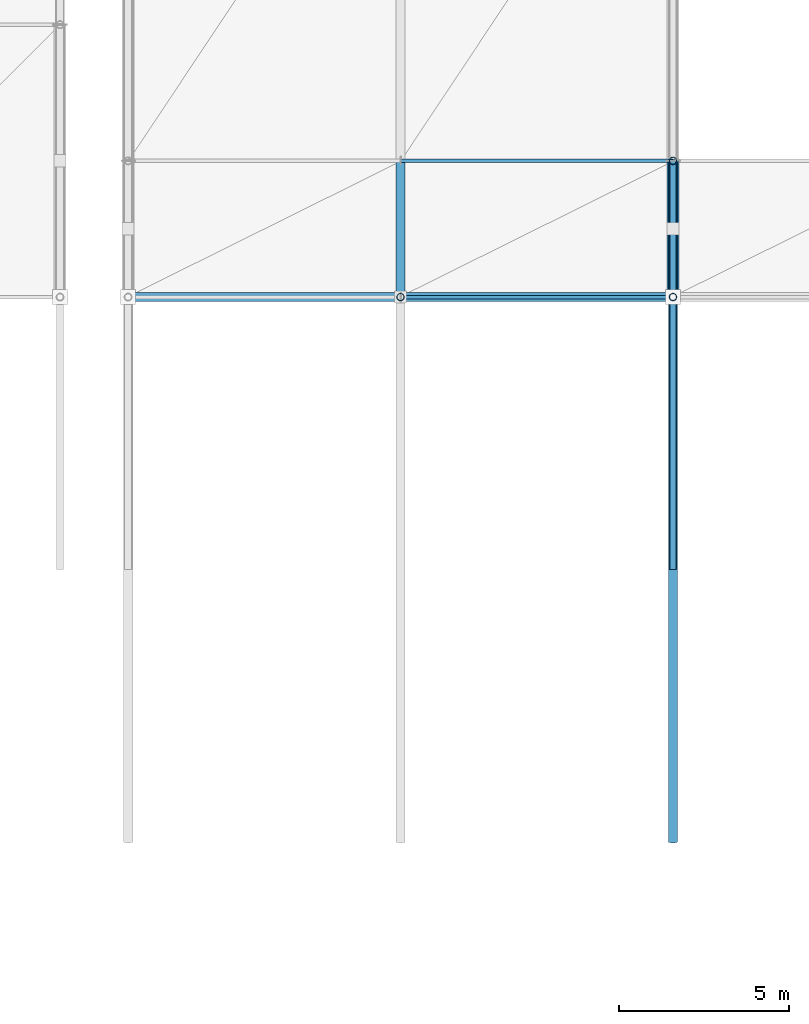
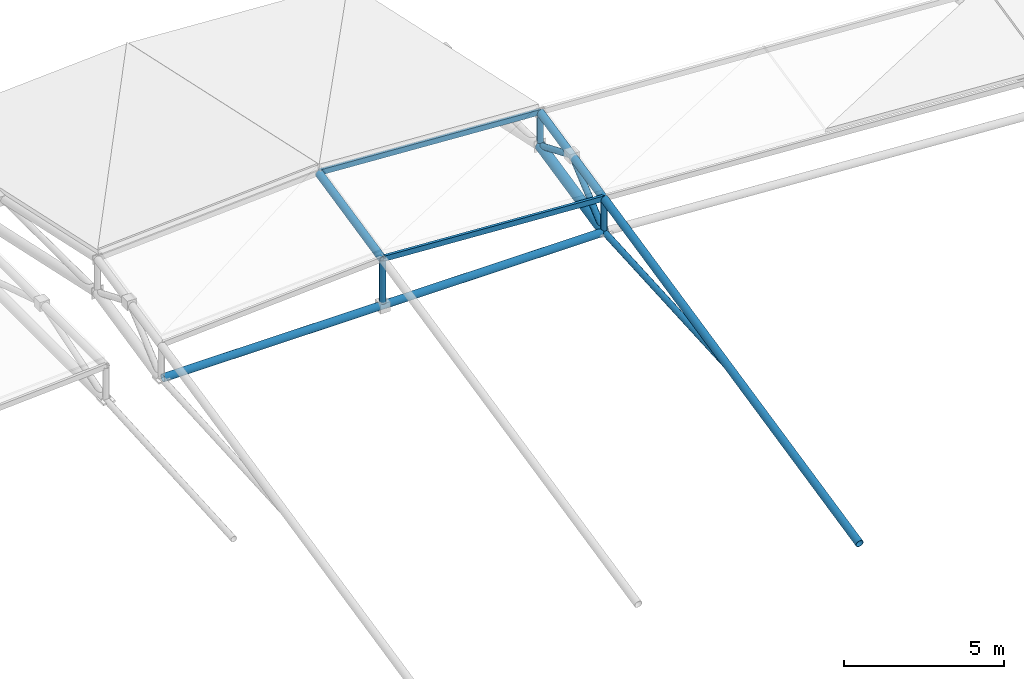
# One storey, part 10 of 27: 11 members, 2 beams.
"""IFC4 building model written with IfcOpenShell, lengths in metres."""

import ifcopenshell
import ifcopenshell.guid

model = None  # the IFC model being written
_history = None  # IfcOwnerHistory: only IFC2X3 demands one
_inside = {}  # id of a spatial element -> (the spatial element, [elements in it])
_under = {}  # id of a project, library or spatial element -> (it, [spatial elements below it])
_declared = {}  # id of a project -> (the project, [libraries it declares])
_typed = {}  # id of a type object -> (the type object, [elements of that type])
_made_of = {}  # id of a material, layer set ... -> (it, [elements and type objects made of it])


def new_model(schema):
    """Start an empty IFC model of exactly this schema.

    Asked for "IFC4X3", IfcOpenShell would pick the latest addendum, in which some entities
    have other attributes; the version numbers below select the first issue.
    IFC2X3 requires an IfcOwnerHistory on every rooted entity: one is made here for all.
    """
    global model, _history
    if schema == "IFC4X3":
        model = ifcopenshell.file(schema_version=(4, 3, 0, 0))
    else:
        model = ifcopenshell.file(schema=schema)
    _inside.clear()
    _under.clear()
    _declared.clear()
    _typed.clear()
    _made_of.clear()
    _history = None
    if model.schema == "IFC2X3":
        org = make("IfcOrganization", Name="unknown")
        user = make(
            "IfcPersonAndOrganization",
            ThePerson=make("IfcPerson", FamilyName="unknown"),
            TheOrganization=org,
        )
        app = make(
            "IfcApplication",
            ApplicationDeveloper=org,
            Version="unknown",
            ApplicationFullName="unknown",
            ApplicationIdentifier="unknown",
        )
        _history = make(
            "IfcOwnerHistory",
            OwningUser=user,
            OwningApplication=app,
            ChangeAction="ADDED",
            CreationDate=0,
        )
    return model


def make(cls, **values):
    """One entity of the class cls with the attributes given. An attribute that is None is left unset."""
    return model.create_entity(
        cls, **{name: value for name, value in values.items() if value is not None}
    )


def rooted(cls, **values):
    """An entity with a GlobalId (a new one), such as an element, a storey or a relation."""
    return make(cls, GlobalId=ifcopenshell.guid.new(), OwnerHistory=_history, **values)


def si_unit(unit_type, name, prefix=None):
    """IfcSIUnit, for example si_unit("LENGTHUNIT", "METRE", prefix="MILLI")."""
    return make("IfcSIUnit", UnitType=unit_type, Prefix=prefix, Name=name)


def assignment(units):
    """IfcUnitAssignment: the units of a project."""
    return None if units is None else make("IfcUnitAssignment", Units=units)


def point(xyz):
    """IfcCartesianPoint."""
    return None if xyz is None else make("IfcCartesianPoint", Coordinates=xyz)


def direction(xyz):
    """IfcDirection."""
    return None if xyz is None else make("IfcDirection", DirectionRatios=xyz)


def frame(location, z_axis=None, x_axis=None):
    """IfcAxis2Placement3D, a coordinate frame: its origin and axes. An axis left out is left unset."""
    return make(
        "IfcAxis2Placement3D",
        Location=point(location),
        Axis=direction(z_axis),
        RefDirection=direction(x_axis),
    )


def frame_2d(location, x_axis=None):
    """IfcAxis2Placement2D, a coordinate frame in the plane: its origin and x axis."""
    return make(
        "IfcAxis2Placement2D", Location=point(location), RefDirection=direction(x_axis)
    )


def origin():
    """The frame at (0, 0, 0) with its axes left unset."""
    return frame((0.0, 0.0, 0.0))


def origin_2d():
    """The frame at (0, 0) in the plane with its x axis left unset."""
    return frame_2d((0.0, 0.0))


def place(relative_to, where):
    """IfcLocalPlacement: puts the frame where relative to a parent placement (None: the world)."""
    return make(
        "IfcLocalPlacement", PlacementRelTo=relative_to, RelativePlacement=where
    )


def context(
    kind, dimensions, precision=None, world=None, true_north=None, identifier=None
):
    """IfcGeometricRepresentationContext, for example the 3D "Model" context."""
    return make(
        "IfcGeometricRepresentationContext",
        ContextIdentifier=identifier,
        ContextType=kind,
        CoordinateSpaceDimension=dimensions,
        Precision=precision,
        WorldCoordinateSystem=world,
        TrueNorth=true_north,
    )


def subcontext(parent, identifier, kind, view, scale=None):
    """IfcGeometricRepresentationSubContext, for example "Body" below "Model"."""
    return make(
        "IfcGeometricRepresentationSubContext",
        ContextIdentifier=identifier,
        ContextType=kind,
        ParentContext=parent,
        TargetScale=scale,
        TargetView=view,
    )


def project(units=None, contexts=None):
    """IfcProject with its units and contexts."""
    return rooted(
        "IfcProject",
        Name="project",
        RepresentationContexts=contexts,
        UnitsInContext=assignment(units),
    )


def spatial(cls, under=None, at=None, **own):
    """A site, building, storey or space (cls), placed at a placement, below another one or the project."""
    s = rooted(cls, ObjectPlacement=at, **own)
    if under is not None:
        _under.setdefault(under.id(), (under, []))[1].append(s)
    return s


def profile(cls, at=None, kind="AREA", **sizes):
    """A parametric profile (cls). Its sizes go by their IFC names, for example OverallWidth=200.0."""
    return make(cls, ProfileType=kind, Position=at, **sizes)


def hollow_rectangle(**sizes):
    """IfcRectangleHollowProfileDef."""
    return profile("IfcRectangleHollowProfileDef", **sizes)


def hollow_circle(**sizes):
    """IfcCircleHollowProfileDef."""
    return profile("IfcCircleHollowProfileDef", **sizes)


def extrude(swept, where, along, depth):
    """IfcExtrudedAreaSolid: the profile swept, set in the frame where, extruded along a direction by depth."""
    return make(
        "IfcExtrudedAreaSolid",
        SweptArea=swept,
        Position=where,
        ExtrudedDirection=direction(along),
        Depth=depth,
    )


def shape(context_of_items, identifier, shape_type, items):
    """IfcShapeRepresentation: the items that make up one representation, for example the "Body"."""
    return make(
        "IfcShapeRepresentation",
        ContextOfItems=context_of_items,
        RepresentationIdentifier=identifier,
        RepresentationType=shape_type,
        Items=items,
    )


def material(Name=None, Category=None):
    """IfcMaterial."""
    return make("IfcMaterial", Name=Name, Category=Category)


def material_profile(
    of_material, cross_section, Name=None, Category=None, Priority=None
):
    """IfcMaterialProfile: a cross section and its material."""
    return make(
        "IfcMaterialProfile",
        Name=Name,
        Material=of_material,
        Profile=cross_section,
        Priority=Priority,
        Category=Category,
    )


def profile_set(profiles, Name=None, composite=None):
    """IfcMaterialProfileSet."""
    return make(
        "IfcMaterialProfileSet",
        Name=Name,
        MaterialProfiles=profiles,
        CompositeProfile=composite,
    )


def made_of(thing, what):
    """Note that an element or type object is made of a material, layer set ...; save() writes the relation."""
    if what is not None:
        _made_of.setdefault(what.id(), (what, []))[1].append(thing)
    return thing


def type_object(cls, material=None, **own):
    """A type object (cls), such as IfcWallType, which elements share."""
    return made_of(rooted(cls, **own), material)


def element(
    cls,
    number,
    at=None,
    inside=None,
    cuts=None,
    type_object=None,
    material=None,
    context=None,
    identifier="Body",
    shape_type=None,
    held_by="IfcProductDefinitionShape",
    body=None,
    shapes=None,
    **own,
):
    """One element of the class cls, such as IfcWall. Its Tag is "e" and its number.

    at: its placement. inside: the storey or other place that contains it. cuts: it is an
    opening in that element (IfcRelVoidsElement). A single representation is given by context,
    identifier, shape_type and body (its items); several are given by shapes. held_by: the class
    of the entity that holds the representations. save() writes the other relations.
    """
    e = rooted(cls, Tag="e%d" % number, ObjectPlacement=at, **own)
    if body is not None:
        shapes = [shape(context, identifier, shape_type, body)]
    if shapes is not None:
        e.Representation = make(held_by, Representations=shapes)
    if inside is not None:
        _inside.setdefault(inside.id(), (inside, []))[1].append(e)
    if cuts is not None:
        rooted(
            "IfcRelVoidsElement", RelatingBuildingElement=cuts, RelatedOpeningElement=e
        )
    if type_object is not None:
        _typed.setdefault(type_object.id(), (type_object, []))[1].append(e)
    return made_of(e, material)


def aggregate(whole, parts):
    """IfcRelAggregates: a whole, such as a stair, and the parts it consists of."""
    return rooted("IfcRelAggregates", RelatingObject=whole, RelatedObjects=parts)


def save(model, path):
    """Write the relations noted so far, then the file.

    IfcRelAggregates (storeys below a building ...), IfcRelContainedInSpatialStructure (elements
    in a storey), IfcRelDefinesByType, IfcRelAssociatesMaterial and IfcRelDeclares: one each for
    every whole, place, type object, material and project.
    """
    for whole, parts in _under.values():
        aggregate(whole, parts)
    for where, things in _inside.values():
        rooted(
            "IfcRelContainedInSpatialStructure",
            RelatedElements=things,
            RelatingStructure=where,
        )
    for kind, things in _typed.values():
        rooted("IfcRelDefinesByType", RelatedObjects=things, RelatingType=kind)
    for what, things in _made_of.values():
        rooted("IfcRelAssociatesMaterial", RelatedObjects=things, RelatingMaterial=what)
    for by, libraries in _declared.values():
        rooted("IfcRelDeclares", RelatingContext=by, RelatedDefinitions=libraries)
    model.write(path)


model = new_model("IFC4")

# Units and contexts
model_context = context("Model", 3, precision=1e-05, world=origin(), true_north=direction((0.0, 1.0)))
body_context = subcontext(model_context, "Body", "Model", "MODEL_VIEW")
ifc_project = project(units=[si_unit("LENGTHUNIT", "METRE"), si_unit("AREAUNIT", "SQUARE_METRE"), si_unit("VOLUMEUNIT", "CUBIC_METRE"), si_unit("PLANEANGLEUNIT", "RADIAN"), si_unit("MASSUNIT", "GRAM", prefix="KILO")], contexts=[model_context])

# Site, building, storey
site_placement = place(None, origin())
site = spatial("IfcSite", under=ifc_project, at=site_placement, CompositionType="ELEMENT")
building_placement = place(site_placement, origin())
building = spatial("IfcBuilding", under=site, at=building_placement, Name="Drelvath Fold Interchange", CompositionType="ELEMENT")
storey_placement = place(building_placement, frame((0.0, 0.0, 19.800048828125)))
storey = spatial("IfcBuildingStorey", under=building, at=storey_placement, Name="L04", CompositionType="ELEMENT", Elevation=19.800048828125)

# Members
ifc_material = material(Name="Steel ASTM A500 Grade C", Category="steel")
ifc_material_profile_1 = material_profile(ifc_material, hollow_rectangle(XDim=0.10205078125, YDim=0.202880859375, WallThickness=0.00732421875, at=origin_2d()), Name="HSS8X4X5/16")
ifc_profile_set_1 = profile_set([ifc_material_profile_1], Name="Steel ASTM A500 Grade C")
member_type_1 = type_object("IfcMemberType", Name="PR-HSS203", PredefinedType="PURLIN", material=ifc_profile_set_1)
for number, where, z_axis, x_axis, name in (
    (1, (110.0, 43.0, 2.2080078125), (0.998197699277, 0.0, -0.060011275256), (0.0, 1.0, 0.0), "L04 Space frame canopy purlin PR-HSS203"),
    (2, (110.0, 47.0, 3.079833984375), (0.998197699277, 0.0, -0.060011275256), (0.0, 1.0, 0.0), "L04 Space frame canopy purlin PR-HSS203"),
):
    element("IfcMember", number, at=place(storey_placement, frame(where, z_axis=z_axis, x_axis=x_axis)), inside=storey, type_object=member_type_1, Name=name, PredefinedType="PURLIN", context=body_context, shape_type="SweptSolid", body=[
        extrude(hollow_rectangle(XDim=0.10205078125, YDim=0.202880859375, WallThickness=0.00732421875, at=origin_2d()), origin(), (0.0, 0.0, 1.0), 8.014404296875),
    ])
ifc_material_profile_2 = material_profile(ifc_material, hollow_circle(Radius=0.136474609375, WallThickness=0.01171875, at=origin_2d()), Name="HSS10.750X0.500")
ifc_profile_set_2 = profile_set([ifc_material_profile_2], Name="Steel ASTM A500 Grade C")
member_type_2 = type_object("IfcMemberType", Name="SF-CHD273", PredefinedType="CHORD", material=ifc_profile_set_2)
member_1_placement = place(storey_placement, frame((118.0, 27.0, -1.79296875), z_axis=(0.0, 0.977052272987, 0.212999661624), x_axis=(-1.0, 0.0, 0.0)))
element("IfcMember", 3, at=member_1_placement, inside=storey, type_object=member_type_2, Name="L04 Space frame roof truss upper chord SF-CHD273", PredefinedType="CHORD", context=body_context, shape_type="SweptSolid", body=[
    extrude(hollow_circle(Radius=0.136474609375, WallThickness=0.01171875, at=origin_2d()), origin(), (0.0, 0.0, 1.0), 16.375732421875),
])
for number, where, z_axis, x_axis, name in (
    (4, (118.0, 43.0, 1.695068359375), (0.0, 0.977061580131, 0.212956964273), (-1.0, 0.0, 0.0), "L04 Space frame roof truss upper chord SF-CHD273"),
    (5, (110.0, 43.0, 2.176025390625), (0.0, 0.977061580131, 0.212956964273), (-1.0, 0.0, 0.0), "L04 Space frame crown chord SF-CHD273"),
):
    element("IfcMember", number, at=place(storey_placement, frame(where, z_axis=z_axis, x_axis=x_axis)), inside=storey, type_object=member_type_2, Name=name, PredefinedType="CHORD", context=body_context, shape_type="SweptSolid", body=[
        extrude(hollow_circle(Radius=0.136474609375, WallThickness=0.01171875, at=origin_2d()), origin(), (0.0, 0.0, 1.0), 4.093994140625),
    ])

# Beams
ifc_material_profile_3 = material_profile(ifc_material, hollow_circle(Radius=0.177978515625, WallThickness=0.01171875, at=origin_2d()), Name="HSS14.000X0.500")
ifc_profile_set_3 = profile_set([ifc_material_profile_3], Name="Steel ASTM A500 Grade C")
beam_type_1 = type_object("IfcBeamType", Name="SF-RIB356", PredefinedType="BEAM", material=ifc_profile_set_3)
beam_1_placement = place(storey_placement, frame((118.0, 43.0, 0.425048828125), z_axis=(0.0, 0.977061580131, 0.212956964273), x_axis=(-1.0, 0.0, 0.0)))
element("IfcBeam", 6, at=beam_1_placement, inside=storey, type_object=beam_type_1, Name="Space frame roof truss main rib chord EAST", PredefinedType="BEAM", context=body_context, shape_type="SweptSolid", body=[
    extrude(hollow_circle(Radius=0.177978515625, WallThickness=0.01171875, at=origin_2d()), origin(), (0.0, 0.0, 1.0), 4.093994140625),
])
ifc_material_profile_4 = material_profile(ifc_material, hollow_circle(Radius=0.136474609375, WallThickness=0.01171875, at=origin_2d()), Name="HSS10.750X0.500")
ifc_profile_set_4 = profile_set([ifc_material_profile_4], Name="Steel ASTM A500 Grade C")
beam_type_2 = type_object("IfcBeamType", Name="SF-TIE273", PredefinedType="BEAM", material=ifc_profile_set_4)
beam_2_placement = place(storey_placement, frame((102.050048828125, 43.0, 0.425048828125), z_axis=(1.0, 0.0, 0.0), x_axis=(0.0, 1.0, 0.0)))
element("IfcBeam", 7, at=beam_2_placement, inside=storey, type_object=beam_type_2, Name="Space frame roof truss longitudinal tie EAST", PredefinedType="BEAM", context=body_context, shape_type="SweptSolid", body=[
    extrude(hollow_circle(Radius=0.136474609375, WallThickness=0.01171875, at=origin_2d()), origin(), (0.0, 0.0, 1.0), 15.89990234375),
])

# Members
ifc_material_profile_5 = material_profile(ifc_material, hollow_circle(Radius=0.109619140625, WallThickness=0.0087890625, at=origin_2d()), Name="HSS8.625X0.375")
ifc_profile_set_5 = profile_set([ifc_material_profile_5], Name="Steel ASTM A500 Grade C")
member_type_3 = type_object("IfcMemberType", Name="SF-WEB219", PredefinedType="BRACE", material=ifc_profile_set_5)
member_2_placement = place(storey_placement, frame((118.0, 35.0, -0.049072265625), z_axis=(0.0, 0.998248434528, 0.059161329952), x_axis=(-1.0, 0.0, 0.0)))
element("IfcMember", 8, at=member_2_placement, inside=storey, type_object=member_type_3, Name="L04 Space frame roof truss web brace SF-WEB219", PredefinedType="BRACE", context=body_context, shape_type="SweptSolid", body=[
    extrude(hollow_circle(Radius=0.109619140625, WallThickness=0.0087890625, at=origin_2d()), origin(), (0.0, 0.0, 1.0), 8.013916015625),
])
member_3_placement = place(storey_placement, frame((118.0, 43.0, 0.425048828125), z_axis=(0.0, 0.760847439174, 0.648930793153), x_axis=(-1.0, 0.0, 0.0)))
element("IfcMember", 9, at=member_3_placement, inside=storey, type_object=member_type_3, Name="L04 Space frame roof truss web brace SF-WEB219", PredefinedType="BRACE", context=body_context, shape_type="SweptSolid", body=[
    extrude(hollow_circle(Radius=0.109619140625, WallThickness=0.0087890625, at=origin_2d()), origin(), (0.0, 0.0, 1.0), 2.628662109375),
])
member_4_placement = place(storey_placement, frame((118.0, 45.0, 2.130859375), z_axis=(0.0, 0.922970220346, -0.38487137118), x_axis=(-1.0, 0.0, 0.0)))
element("IfcMember", 10, at=member_4_placement, inside=storey, type_object=member_type_3, Name="L04 Space frame roof truss web brace SF-WEB219", PredefinedType="BRACE", context=body_context, shape_type="SweptSolid", body=[
    extrude(hollow_circle(Radius=0.109619140625, WallThickness=0.0087890625, at=origin_2d()), origin(), (0.0, 0.0, 1.0), 2.1669921875),
])
for number, where, z_axis, x_axis, name in (
    (11, (118.0, 43.0, 0.425048828125), (0.0, 0.0, 1.0), (1.0, 0.0, 0.0), "L04 Space frame roof truss web brace SF-WEB219"),
    (12, (118.0, 47.0, 1.296875), (0.0, 0.0, 1.0), (1.0, 0.0, 0.0), "L04 Space frame roof truss web brace SF-WEB219"),
):
    element("IfcMember", number, at=place(storey_placement, frame(where, z_axis=z_axis, x_axis=x_axis)), inside=storey, type_object=member_type_3, Name=name, PredefinedType="BRACE", context=body_context, shape_type="SweptSolid", body=[
        extrude(hollow_circle(Radius=0.109619140625, WallThickness=0.0087890625, at=origin_2d()), origin(), (0.0, 0.0, 1.0), 1.27001953125),
    ])
member_5_placement = place(storey_placement, frame((110.0, 43.0, 0.425048828125), z_axis=(0.0, 0.0, 1.0), x_axis=(1.0, 0.0, 0.0)))
element("IfcMember", 13, at=member_5_placement, inside=storey, type_object=member_type_3, Name="L04 Space frame crown post SF-WEB219", PredefinedType="BRACE", context=body_context, shape_type="SweptSolid", body=[
    extrude(hollow_circle(Radius=0.109619140625, WallThickness=0.0087890625, at=origin_2d()), origin(), (0.0, 0.0, 1.0), 1.7509765625),
])

save(model, "model.ifc")
